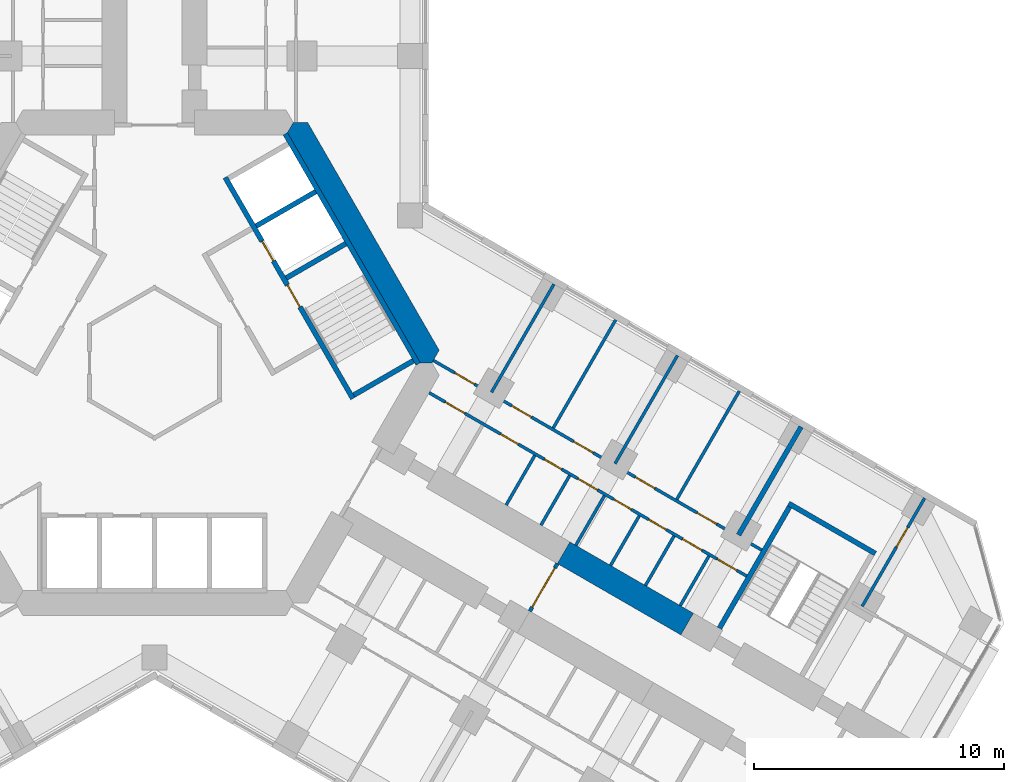
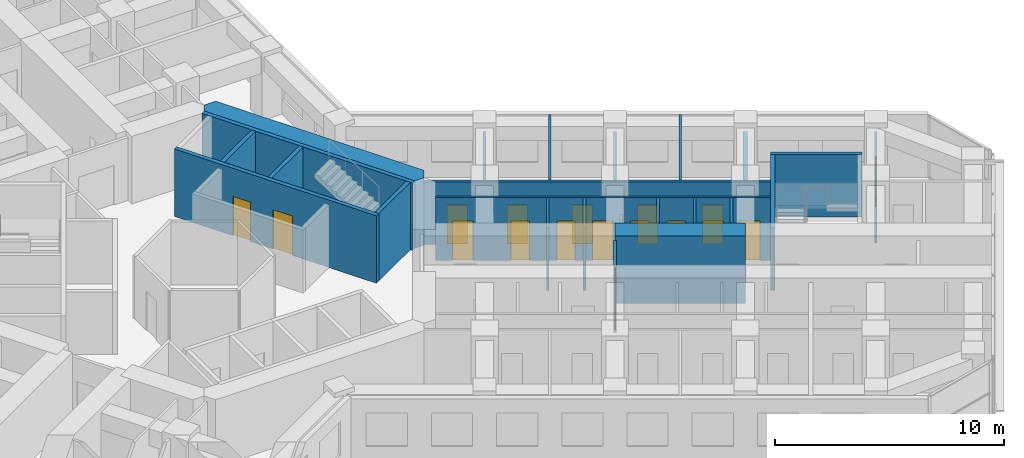
# One storey, part 16 of 21: 24 walls, 17 doors, 17 openings.
"""IFC4 building model written with IfcOpenShell, lengths in metres."""

from ifc_helpers import new_model, si_unit, direction, frame, frame_2d, origin, place, context, subcontext, project, spatial, polyline, rectangle, outline, extrude, material, layer, layer_set, type_object, element, fill, save


model = new_model("IFC4")

# Units and contexts
model_context = context("Model", 3, precision=1e-05, world=origin(), true_north=direction((0.0, 1.0)))
body_context = subcontext(model_context, "Body", "Model", "MODEL_VIEW")
ifc_project = project(units=[si_unit("LENGTHUNIT", "METRE"), si_unit("AREAUNIT", "SQUARE_METRE"), si_unit("VOLUMEUNIT", "CUBIC_METRE"), si_unit("PLANEANGLEUNIT", "RADIAN"), si_unit("MASSUNIT", "GRAM", prefix="KILO")], contexts=[model_context])

# Site, building, storey
site_placement = place(None, origin())
site = spatial("IfcSite", under=ifc_project, at=site_placement, CompositionType="ELEMENT")
building_placement = place(site_placement, origin())
building = spatial("IfcBuilding", under=site, at=building_placement, Name="Kosmar Iwan School Tower", CompositionType="ELEMENT")
storey_placement = place(building_placement, frame((0.0, 0.0, 61.0)))
storey = spatial("IfcBuildingStorey", under=building, at=storey_placement, Name="L14", CompositionType="ELEMENT", Elevation=61.0)

# Walls
ifc_material_1 = material(Name="Concrete C50/60", Category="concrete")
ifc_layer_1 = layer(ifc_material_1, 1.0)
ifc_layer_set_1 = layer_set([ifc_layer_1], Name="Core wall 1000")
wall_type_1 = type_object("IfcWallType", Name="Core wall 1000", PredefinedType="SHEAR", material=ifc_layer_set_1)
wall_1_placement = place(storey_placement, origin())
element("IfcWall", 1, at=wall_1_placement, inside=storey, type_object=wall_type_1, Name="Core wall F030", PredefinedType="SHEAR", context=body_context, shape_type="SweptSolid", body=[
    extrude(outline(polyline([(10.5078125, 0.0), (11.085205078125, 0.0), (11.373779296875, 0.5), (6.119873046875, 9.60009765625), (5.54248046875, 9.60009765625), (5.25390625, 9.10009765625), (10.5078125, 0.0)])), origin(), (0.0, 0.0, 1.0), 3.60009765625),
])
ifc_material_2 = material(Name="Concrete C50/60", Category="concrete")
ifc_layer_2 = layer(ifc_material_2, 1.0)
ifc_layer_set_2 = layer_set([ifc_layer_2], Name="Corridor buttress wall 1000")
wall_type_2 = type_object("IfcWallType", Name="Corridor buttress wall 1000", PredefinedType="SHEAR", material=ifc_layer_set_2)
wall_2_placement = place(storey_placement, frame((16.34521484375, -7.58935546875, 0.0), z_axis=(0.0, 0.0, 1.0), x_axis=(0.866015111908, -0.50001782563, 0.0)))
element("IfcWall", 2, at=wall_2_placement, inside=storey, type_object=wall_type_2, Name="Corridor wall CL bay 2", PredefinedType="SHEAR", context=body_context, shape_type="SweptSolid", body=[
    extrude(rectangle(XDim=5.699951171875, YDim=1.0, at=frame_2d((2.85009765625, 0.0))), origin(), (0.0, 0.0, 1.0), 3.60009765625),
])

# Wall, opening, door
ifc_material_3 = material(Name="Gypsum board on steel studs, fire-rated", Category="steel")
ifc_layer_3 = layer(ifc_material_3, 0.14990234375)
ifc_layer_set_3 = layer_set([ifc_layer_3], Name="Corridor end wall 150")
wall_type_3 = type_object("IfcWallType", Name="Corridor end wall 150", PredefinedType="PARTITIONING", material=ifc_layer_set_3)
wall_3_placement = place(storey_placement, frame((14.9951171875, -9.927734375, 0.0), z_axis=(0.0, 0.0, 1.0), x_axis=(0.50002983664, 0.866008176907, 0.0)))
wall_3 = element("IfcWall", 3, at=wall_3_placement, inside=storey, type_object=wall_type_3, Name="Partition L14-C-HW", PredefinedType="PARTITIONING", context=body_context, shape_type="SweptSolid", body=[
    extrude(rectangle(XDim=2.199951171875, YDim=0.14990234375, at=frame_2d((1.10009765625, 0.0))), origin(), (0.0, 0.0, 1.0), 3.35009765625),
])
opening_1_placement = place(wall_3_placement, frame((0.199951171875, 0.0, 0.0)))
opening_1 = element("IfcOpeningElement", 4, at=opening_1_placement, cuts=wall_3, Name="Opening D9", PredefinedType="OPENING", context=body_context, shape_type="SweptSolid", body=[
    extrude(rectangle(XDim=1.800048828125, YDim=2.10009765625, at=frame_2d((0.89990234375, 1.050048828125))), frame((0.0, 0.0869140625, 0.0), z_axis=(0.0, -1.0, 0.0), x_axis=(1.0, 0.0, 0.0)), (0.0, 0.0, 1.0), 0.173828125),
])
ifc_material_4 = material(Name="Steel framed glazed smoke door", Category="steel")
door_type_1 = type_object("IfcDoorType", Name="Corridor smoke door pair 1800x2100", OperationType="DOUBLE_DOOR_DOUBLE_SWING", PredefinedType="DOOR", material=ifc_material_4)
door_1_placement = place(opening_1_placement, origin())
door_1 = element("IfcDoor", 5, at=door_1_placement, inside=storey, type_object=door_type_1, Name="Entrance vestibule smoke doors L14-C", OperationType="DOUBLE_DOOR_DOUBLE_SWING", OverallHeight=2.10009765625, OverallWidth=1.800048828125, PredefinedType="DOOR", context=body_context, shape_type="SweptSolid", body=[
    extrude(rectangle(XDim=1.800048828125, YDim=2.10009765625, at=frame_2d((0.89990234375, 1.050048828125))), frame((0.0, 0.02490234375, 0.0), z_axis=(0.0, -1.0, 0.0), x_axis=(1.0, 0.0, 0.0)), (0.0, 0.0, 1.0), 0.050048828125),
])
fill(opening_1, door_1)

# Wall, openings, doors
ifc_material_5 = material(Name="Gypsum board on steel studs", Category="steel")
ifc_layer_4 = layer(ifc_material_5, 0.1201171875)
ifc_layer_set_4 = layer_set([ifc_layer_4], Name="Dwelling partition 120")
wall_type_4 = type_object("IfcWallType", Name="Dwelling partition 120", PredefinedType="PARTITIONING", material=ifc_layer_set_4)
wall_4_placement = place(storey_placement, frame((10.971923828125, -1.1962890625, 0.0), z_axis=(0.0, 0.0, 1.0), x_axis=(0.866026568746, -0.499997982221, 0.0)))
wall_4 = element("IfcWall", 6, at=wall_4_placement, inside=storey, type_object=wall_type_4, Name="Partition L14-CL1-W1", PredefinedType="PARTITIONING", context=body_context, shape_type="SweptSolid", body=[
    extrude(rectangle(XDim=14.64990234375, YDim=0.1201171875, at=frame_2d((7.324951171875, 0.0))), origin(), (0.0, 0.0, 1.0), 3.35009765625),
])
opening_2_placement = place(wall_4_placement, frame((0.75, 0.0, 0.0)))
opening_2 = element("IfcOpeningElement", 7, at=opening_2_placement, cuts=wall_4, Name="Opening D2", PredefinedType="OPENING", context=body_context, shape_type="SweptSolid", body=[
    extrude(rectangle(XDim=0.89990234375, YDim=2.10009765625, at=frame_2d((0.449951171875, 1.050048828125))), frame((0.0, 0.072021484375, 0.0), z_axis=(0.0, -1.0, 0.0), x_axis=(1.0, 0.0, 0.0)), (0.0, 0.0, 1.0), 0.14404296875),
])
opening_3_placement = place(wall_4_placement, frame((3.304931640625, 0.0, 0.0)))
opening_3 = element("IfcOpeningElement", 8, at=opening_3_placement, cuts=wall_4, Name="Opening D3", PredefinedType="OPENING", context=body_context, shape_type="SweptSolid", body=[
    extrude(rectangle(XDim=0.800048828125, YDim=2.10009765625, at=frame_2d((0.39990234375, 1.050048828125))), frame((0.0, 0.072021484375, 0.0), z_axis=(0.0, -1.0, 0.0), x_axis=(1.0, 0.0, 0.0)), (0.0, 0.0, 1.0), 0.14404296875),
])
opening_4_placement = place(wall_4_placement, frame((5.313232421875, 0.0, 0.0)))
opening_4 = element("IfcOpeningElement", 9, at=opening_4_placement, cuts=wall_4, Name="Opening D3", PredefinedType="OPENING", context=body_context, shape_type="SweptSolid", body=[
    extrude(rectangle(XDim=0.800048828125, YDim=2.10009765625, at=frame_2d((0.39990234375, 1.050048828125))), frame((0.0, 0.072021484375, 0.0), z_axis=(0.0, -1.0, 0.0), x_axis=(1.0, 0.0, 0.0)), (0.0, 0.0, 1.0), 0.14404296875),
])
opening_5_placement = place(wall_4_placement, frame((6.8701171875, 0.0, 0.0)))
opening_5 = element("IfcOpeningElement", 10, at=opening_5_placement, cuts=wall_4, Name="Opening D2", PredefinedType="OPENING", context=body_context, shape_type="SweptSolid", body=[
    extrude(rectangle(XDim=0.89990234375, YDim=2.10009765625, at=frame_2d((0.449951171875, 1.050048828125))), frame((0.0, 0.072021484375, 0.0), z_axis=(0.0, -1.0, 0.0), x_axis=(1.0, 0.0, 0.0)), (0.0, 0.0, 1.0), 0.14404296875),
])
opening_6_placement = place(wall_4_placement, frame((8.526611328125, 0.0, 0.0)))
opening_6 = element("IfcOpeningElement", 11, at=opening_6_placement, cuts=wall_4, Name="Opening D3", PredefinedType="OPENING", context=body_context, shape_type="SweptSolid", body=[
    extrude(rectangle(XDim=0.800048828125, YDim=2.10009765625, at=frame_2d((0.39990234375, 1.050048828125))), frame((0.0, 0.072021484375, 0.0), z_axis=(0.0, -1.0, 0.0), x_axis=(1.0, 0.0, 0.0)), (0.0, 0.0, 1.0), 0.14404296875),
])
opening_7_placement = place(wall_4_placement, frame((10.13330078125, 0.0, 0.0)))
opening_7 = element("IfcOpeningElement", 12, at=opening_7_placement, cuts=wall_4, Name="Opening D3", PredefinedType="OPENING", context=body_context, shape_type="SweptSolid", body=[
    extrude(rectangle(XDim=0.800048828125, YDim=2.10009765625, at=frame_2d((0.39990234375, 1.050048828125))), frame((0.0, 0.072021484375, 0.0), z_axis=(0.0, -1.0, 0.0), x_axis=(1.0, 0.0, 0.0)), (0.0, 0.0, 1.0), 0.14404296875),
])
opening_8_placement = place(wall_4_placement, frame((11.68994140625, 0.0, 0.0)))
opening_8 = element("IfcOpeningElement", 13, at=opening_8_placement, cuts=wall_4, Name="Opening D2", PredefinedType="OPENING", context=body_context, shape_type="SweptSolid", body=[
    extrude(rectangle(XDim=0.89990234375, YDim=2.10009765625, at=frame_2d((0.449951171875, 1.050048828125))), frame((0.0, 0.072021484375, 0.0), z_axis=(0.0, -1.0, 0.0), x_axis=(1.0, 0.0, 0.0)), (0.0, 0.0, 1.0), 0.14404296875),
])
opening_9_placement = place(wall_4_placement, frame((13.296630859375, 0.0, 0.0)))
opening_9 = element("IfcOpeningElement", 14, at=opening_9_placement, cuts=wall_4, Name="Opening D2", PredefinedType="OPENING", context=body_context, shape_type="SweptSolid", body=[
    extrude(rectangle(XDim=0.89990234375, YDim=2.10009765625, at=frame_2d((0.449951171875, 1.050048828125))), frame((0.0, 0.072021484375, 0.0), z_axis=(0.0, -1.0, 0.0), x_axis=(1.0, 0.0, 0.0)), (0.0, 0.0, 1.0), 0.14404296875),
])
ifc_material_6 = material(Name="Timber door in timber frame", Category="wood")
door_type_2 = type_object("IfcDoorType", Name="Internal door 900x2100", OperationType="SINGLE_SWING_LEFT", PredefinedType="DOOR", material=ifc_material_6)
door_2_placement = place(opening_2_placement, origin())
door_2 = element("IfcDoor", 15, at=door_2_placement, inside=storey, type_object=door_type_2, Name="Entrance hall door L14-CL1-S1", OperationType="SINGLE_SWING_LEFT", OverallHeight=2.10009765625, OverallWidth=0.89990234375, PredefinedType="DOOR", context=body_context, shape_type="SweptSolid", body=[
    extrude(rectangle(XDim=0.89990234375, YDim=2.10009765625, at=frame_2d((0.449951171875, 1.050048828125))), frame((0.0, 0.02490234375, 0.0), z_axis=(0.0, -1.0, 0.0), x_axis=(1.0, 0.0, 0.0)), (0.0, 0.0, 1.0), 0.050048828125),
])
fill(opening_2, door_2)
door_3_placement = place(opening_5_placement, origin())
door_3 = element("IfcDoor", 16, at=door_3_placement, inside=storey, type_object=door_type_2, Name="Pantry door L14-CL1-S4", OperationType="SINGLE_SWING_LEFT", OverallHeight=2.10009765625, OverallWidth=0.89990234375, PredefinedType="DOOR", context=body_context, shape_type="SweptSolid", body=[
    extrude(rectangle(XDim=0.89990234375, YDim=2.10009765625, at=frame_2d((0.449951171875, 1.050048828125))), frame((0.0, 0.02490234375, 0.0), z_axis=(0.0, -1.0, 0.0), x_axis=(1.0, 0.0, 0.0)), (0.0, 0.0, 1.0), 0.050048828125),
])
fill(opening_5, door_3)
door_4_placement = place(opening_8_placement, origin())
door_4 = element("IfcDoor", 17, at=door_4_placement, inside=storey, type_object=door_type_2, Name="Utility room door L14-CL1-S7", OperationType="SINGLE_SWING_RIGHT", OverallHeight=2.10009765625, OverallWidth=0.89990234375, PredefinedType="DOOR", context=body_context, shape_type="SweptSolid", body=[
    extrude(rectangle(XDim=0.89990234375, YDim=2.10009765625, at=frame_2d((0.449951171875, 1.050048828125))), frame((0.0, 0.02490234375, 0.0), z_axis=(0.0, -1.0, 0.0), x_axis=(1.0, 0.0, 0.0)), (0.0, 0.0, 1.0), 0.050048828125),
])
fill(opening_8, door_4)
door_5_placement = place(opening_9_placement, frame((0.89990234375, 0.0, 0.0), z_axis=(0.0, 0.0, 1.0), x_axis=(-1.0, 0.0, 0.0)))
door_5 = element("IfcDoor", 18, at=door_5_placement, inside=storey, type_object=door_type_2, Name="Dressing room door L14-CL1-S8", OperationType="SINGLE_SWING_LEFT", OverallHeight=2.10009765625, OverallWidth=0.89990234375, PredefinedType="DOOR", context=body_context, shape_type="SweptSolid", body=[
    extrude(rectangle(XDim=0.89990234375, YDim=2.10009765625, at=frame_2d((0.449951171875, 1.050048828125))), frame((0.0, 0.02490234375, 0.0), z_axis=(0.0, -1.0, 0.0), x_axis=(1.0, 0.0, 0.0)), (0.0, 0.0, 1.0), 0.050048828125),
])
fill(opening_9, door_5)
ifc_material_7 = material(Name="Timber door in timber frame", Category="wood")
door_type_3 = type_object("IfcDoorType", Name="Sanitary room door 800x2100", OperationType="SINGLE_SWING_LEFT", PredefinedType="DOOR", material=ifc_material_7)
door_6_placement = place(opening_3_placement, origin())
door_6 = element("IfcDoor", 19, at=door_6_placement, inside=storey, type_object=door_type_3, Name="Bathroom door L14-CL1-S2", OperationType="SINGLE_SWING_LEFT", OverallHeight=2.10009765625, OverallWidth=0.800048828125, PredefinedType="DOOR", context=body_context, shape_type="SweptSolid", body=[
    extrude(rectangle(XDim=0.800048828125, YDim=2.10009765625, at=frame_2d((0.39990234375, 1.050048828125))), frame((0.0, 0.02490234375, 0.0), z_axis=(0.0, -1.0, 0.0), x_axis=(1.0, 0.0, 0.0)), (0.0, 0.0, 1.0), 0.050048828125),
])
fill(opening_3, door_6)
door_7_placement = place(opening_4_placement, origin())
door_7 = element("IfcDoor", 20, at=door_7_placement, inside=storey, type_object=door_type_3, Name="Shower room door L14-CL1-S3", OperationType="SINGLE_SWING_LEFT", OverallHeight=2.10009765625, OverallWidth=0.800048828125, PredefinedType="DOOR", context=body_context, shape_type="SweptSolid", body=[
    extrude(rectangle(XDim=0.800048828125, YDim=2.10009765625, at=frame_2d((0.39990234375, 1.050048828125))), frame((0.0, 0.02490234375, 0.0), z_axis=(0.0, -1.0, 0.0), x_axis=(1.0, 0.0, 0.0)), (0.0, 0.0, 1.0), 0.050048828125),
])
fill(opening_4, door_7)
door_8_placement = place(opening_6_placement, origin())
door_8 = element("IfcDoor", 21, at=door_8_placement, inside=storey, type_object=door_type_3, Name="WC door L14-CL1-S5", OperationType="SINGLE_SWING_RIGHT", OverallHeight=2.10009765625, OverallWidth=0.800048828125, PredefinedType="DOOR", context=body_context, shape_type="SweptSolid", body=[
    extrude(rectangle(XDim=0.800048828125, YDim=2.10009765625, at=frame_2d((0.39990234375, 1.050048828125))), frame((0.0, 0.02490234375, 0.0), z_axis=(0.0, -1.0, 0.0), x_axis=(1.0, 0.0, 0.0)), (0.0, 0.0, 1.0), 0.050048828125),
])
fill(opening_6, door_8)
door_9_placement = place(opening_7_placement, origin())
door_9 = element("IfcDoor", 22, at=door_9_placement, inside=storey, type_object=door_type_3, Name="Store door L14-CL1-S6", OperationType="SINGLE_SWING_RIGHT", OverallHeight=2.10009765625, OverallWidth=0.800048828125, PredefinedType="DOOR", context=body_context, shape_type="SweptSolid", body=[
    extrude(rectangle(XDim=0.800048828125, YDim=2.10009765625, at=frame_2d((0.39990234375, 1.050048828125))), frame((0.0, 0.02490234375, 0.0), z_axis=(0.0, -1.0, 0.0), x_axis=(1.0, 0.0, 0.0)), (0.0, 0.0, 1.0), 0.050048828125),
])
fill(opening_7, door_9)

wall_5_placement = place(storey_placement, frame((11.138916015625, 0.093017578125, 0.0), z_axis=(0.0, 0.0, 1.0), x_axis=(0.866024032363, -0.500002375365, 0.0)))
wall_5 = element("IfcWall", 23, at=wall_5_placement, inside=storey, type_object=wall_type_4, Name="Partition L14-CL1-W2", PredefinedType="PARTITIONING", context=body_context, shape_type="SweptSolid", body=[
    extrude(rectangle(XDim=15.14990234375, YDim=0.1201171875, at=frame_2d((7.574951171875, 0.0))), origin(), (0.0, 0.0, 1.0), 3.35009765625),
])
opening_10_placement = place(wall_5_placement, frame((1.0, 0.0, 0.0)))
opening_10 = element("IfcOpeningElement", 24, at=opening_10_placement, cuts=wall_5, Name="Opening D2", PredefinedType="OPENING", context=body_context, shape_type="SweptSolid", body=[
    extrude(rectangle(XDim=0.89990234375, YDim=2.10009765625, at=frame_2d((0.449951171875, 1.050048828125))), frame((0.0, 0.072021484375, 0.0), z_axis=(0.0, -1.0, 0.0), x_axis=(1.0, 0.0, 0.0)), (0.0, 0.0, 1.0), 0.14404296875),
])
opening_11_placement = place(wall_5_placement, frame((3.625, 0.0, 0.0)))
opening_11 = element("IfcOpeningElement", 25, at=opening_11_placement, cuts=wall_5, Name="Opening D2", PredefinedType="OPENING", context=body_context, shape_type="SweptSolid", body=[
    extrude(rectangle(XDim=0.89990234375, YDim=2.10009765625, at=frame_2d((0.449951171875, 1.050048828125))), frame((0.0, 0.072021484375, 0.0), z_axis=(0.0, -1.0, 0.0), x_axis=(1.0, 0.0, 0.0)), (0.0, 0.0, 1.0), 0.14404296875),
])
opening_12_placement = place(wall_5_placement, frame((6.47509765625, 0.0, 0.0)))
opening_12 = element("IfcOpeningElement", 26, at=opening_12_placement, cuts=wall_5, Name="Opening D2", PredefinedType="OPENING", context=body_context, shape_type="SweptSolid", body=[
    extrude(rectangle(XDim=0.89990234375, YDim=2.10009765625, at=frame_2d((0.449951171875, 1.050048828125))), frame((0.0, 0.072021484375, 0.0), z_axis=(0.0, -1.0, 0.0), x_axis=(1.0, 0.0, 0.0)), (0.0, 0.0, 1.0), 0.14404296875),
])
opening_13_placement = place(wall_5_placement, frame((9.324951171875, 0.0, 0.0)))
opening_13 = element("IfcOpeningElement", 27, at=opening_13_placement, cuts=wall_5, Name="Opening D2", PredefinedType="OPENING", context=body_context, shape_type="SweptSolid", body=[
    extrude(rectangle(XDim=0.89990234375, YDim=2.10009765625, at=frame_2d((0.449951171875, 1.050048828125))), frame((0.0, 0.072021484375, 0.0), z_axis=(0.0, -1.0, 0.0), x_axis=(1.0, 0.0, 0.0)), (0.0, 0.0, 1.0), 0.14404296875),
])
opening_14_placement = place(wall_5_placement, frame((12.175048828125, 0.0, 0.0)))
opening_14 = element("IfcOpeningElement", 28, at=opening_14_placement, cuts=wall_5, Name="Opening D2", PredefinedType="OPENING", context=body_context, shape_type="SweptSolid", body=[
    extrude(rectangle(XDim=0.89990234375, YDim=2.10009765625, at=frame_2d((0.449951171875, 1.050048828125))), frame((0.0, 0.072021484375, 0.0), z_axis=(0.0, -1.0, 0.0), x_axis=(1.0, 0.0, 0.0)), (0.0, 0.0, 1.0), 0.14404296875),
])
door_10_placement = place(opening_10_placement, origin())
door_10 = element("IfcDoor", 29, at=door_10_placement, inside=storey, type_object=door_type_2, Name="Family room door L14-CL1-F1", OperationType="SINGLE_SWING_LEFT", OverallHeight=2.10009765625, OverallWidth=0.89990234375, PredefinedType="DOOR", context=body_context, shape_type="SweptSolid", body=[
    extrude(rectangle(XDim=0.89990234375, YDim=2.10009765625, at=frame_2d((0.449951171875, 1.050048828125))), frame((0.0, 0.02490234375, 0.0), z_axis=(0.0, -1.0, 0.0), x_axis=(1.0, 0.0, 0.0)), (0.0, 0.0, 1.0), 0.050048828125),
])
fill(opening_10, door_10)
door_11_placement = place(opening_11_placement, origin())
door_11 = element("IfcDoor", 30, at=door_11_placement, inside=storey, type_object=door_type_2, Name="Study door L14-CL1-F2", OperationType="SINGLE_SWING_LEFT", OverallHeight=2.10009765625, OverallWidth=0.89990234375, PredefinedType="DOOR", context=body_context, shape_type="SweptSolid", body=[
    extrude(rectangle(XDim=0.89990234375, YDim=2.10009765625, at=frame_2d((0.449951171875, 1.050048828125))), frame((0.0, 0.02490234375, 0.0), z_axis=(0.0, -1.0, 0.0), x_axis=(1.0, 0.0, 0.0)), (0.0, 0.0, 1.0), 0.050048828125),
])
fill(opening_11, door_11)
door_12_placement = place(opening_12_placement, origin())
door_12 = element("IfcDoor", 31, at=door_12_placement, inside=storey, type_object=door_type_2, Name="Bedroom 1 door L14-CL1-F3", OperationType="SINGLE_SWING_RIGHT", OverallHeight=2.10009765625, OverallWidth=0.89990234375, PredefinedType="DOOR", context=body_context, shape_type="SweptSolid", body=[
    extrude(rectangle(XDim=0.89990234375, YDim=2.10009765625, at=frame_2d((0.449951171875, 1.050048828125))), frame((0.0, 0.02490234375, 0.0), z_axis=(0.0, -1.0, 0.0), x_axis=(1.0, 0.0, 0.0)), (0.0, 0.0, 1.0), 0.050048828125),
])
fill(opening_12, door_12)
door_13_placement = place(opening_13_placement, origin())
door_13 = element("IfcDoor", 32, at=door_13_placement, inside=storey, type_object=door_type_2, Name="Living room and kitchen door L14-CL1-F4", OperationType="SINGLE_SWING_LEFT", OverallHeight=2.10009765625, OverallWidth=0.89990234375, PredefinedType="DOOR", context=body_context, shape_type="SweptSolid", body=[
    extrude(rectangle(XDim=0.89990234375, YDim=2.10009765625, at=frame_2d((0.449951171875, 1.050048828125))), frame((0.0, 0.02490234375, 0.0), z_axis=(0.0, -1.0, 0.0), x_axis=(1.0, 0.0, 0.0)), (0.0, 0.0, 1.0), 0.050048828125),
])
fill(opening_13, door_13)
door_14_placement = place(opening_14_placement, origin())
door_14 = element("IfcDoor", 33, at=door_14_placement, inside=storey, type_object=door_type_2, Name="Bedroom 2 door L14-CL1-F5", OperationType="SINGLE_SWING_RIGHT", OverallHeight=2.10009765625, OverallWidth=0.89990234375, PredefinedType="DOOR", context=body_context, shape_type="SweptSolid", body=[
    extrude(rectangle(XDim=0.89990234375, YDim=2.10009765625, at=frame_2d((0.449951171875, 1.050048828125))), frame((0.0, 0.02490234375, 0.0), z_axis=(0.0, -1.0, 0.0), x_axis=(1.0, 0.0, 0.0)), (0.0, 0.0, 1.0), 0.050048828125),
])
fill(opening_14, door_14)

# Walls
wall_6_placement = place(storey_placement, frame((13.4638671875, -1.179931640625, 0.0), z_axis=(0.0, 0.0, 1.0), x_axis=(0.499996339024, 0.86602751744, 0.0)))
element("IfcWall", 34, at=wall_6_placement, inside=storey, type_object=wall_type_4, Name="Partition L14-CL1-X1", PredefinedType="PARTITIONING", context=body_context, shape_type="SweptSolid", body=[
    extrude(rectangle(XDim=4.98974609375, YDim=0.1201171875, at=frame_2d((2.494873046875, 0.0))), origin(), (0.0, 0.0, 1.0), 2.449951171875),
])
wall_7_placement = place(storey_placement, frame((15.931884765625, -2.60498046875, 0.0), z_axis=(0.0, 0.0, 1.0), x_axis=(0.500011847778, 0.866018563358, 0.0)))
element("IfcWall", 35, at=wall_7_placement, inside=storey, type_object=wall_type_4, Name="Partition L14-CL1-X2", PredefinedType="PARTITIONING", context=body_context, shape_type="SweptSolid", body=[
    extrude(rectangle(XDim=4.990234375, YDim=0.1201171875, at=frame_2d((2.4951171875, 0.0))), origin(), (0.0, 0.0, 1.0), 3.35009765625),
])
wall_8_placement = place(storey_placement, frame((18.400146484375, -4.030029296875, 0.0), z_axis=(0.0, 0.0, 1.0), x_axis=(0.500011847778, 0.866018563358, 0.0)))
element("IfcWall", 36, at=wall_8_placement, inside=storey, type_object=wall_type_4, Name="Partition L14-CL1-X3", PredefinedType="PARTITIONING", context=body_context, shape_type="SweptSolid", body=[
    extrude(rectangle(XDim=4.990234375, YDim=0.1201171875, at=frame_2d((2.4951171875, 0.0))), origin(), (0.0, 0.0, 1.0), 2.449951171875),
])
wall_9_placement = place(storey_placement, frame((20.868408203125, -5.455078125, 0.0), z_axis=(0.0, 0.0, 1.0), x_axis=(0.499975153383, 0.86603974851, 0.0)))
element("IfcWall", 37, at=wall_9_placement, inside=storey, type_object=wall_type_4, Name="Partition L14-CL1-X4", PredefinedType="PARTITIONING", context=body_context, shape_type="SweptSolid", body=[
    extrude(rectangle(XDim=4.989990234375, YDim=0.1201171875, at=frame_2d((2.4951171875, 0.0))), origin(), (0.0, 0.0, 1.0), 3.35009765625),
])
for number, where, z_axis, x_axis, name in (
    (38, (14.049072265625, -5.686279296875, 0.0), (0.0, 0.0, 1.0), (0.500014693593, 0.866016920268, 0.0), "Partition L14-CL1-Y2"),
    (39, (15.4404296875, -6.48974609375, 0.0), (0.0, 0.0, 1.0), (0.500014693593, 0.866016920268, 0.0), "Partition L14-CL1-Y3"),
):
    element("IfcWall", number, at=place(storey_placement, frame(where, z_axis=z_axis, x_axis=x_axis)), inside=storey, type_object=wall_type_4, Name=name, PredefinedType="PARTITIONING", context=body_context, shape_type="SweptSolid", body=[
        extrude(rectangle(XDim=2.2900390625, YDim=0.1201171875, at=frame_2d((1.14501953125, 0.0))), origin(), (0.0, 0.0, 1.0), 3.35009765625),
    ])
wall_10_placement = place(storey_placement, frame((16.831787109375, -7.29296875, 0.0), z_axis=(0.0, 0.0, 1.0), x_axis=(0.500014693593, 0.866016920268, 0.0)))
element("IfcWall", 40, at=wall_10_placement, inside=storey, type_object=wall_type_4, Name="Partition L14-CL1-Y4", PredefinedType="PARTITIONING", context=body_context, shape_type="SweptSolid", body=[
    extrude(rectangle(XDim=2.2900390625, YDim=0.1201171875, at=frame_2d((1.14501953125, 0.0))), origin(), (0.0, 0.0, 1.0), 2.449951171875),
])
wall_11_placement = place(storey_placement, frame((18.223388671875, -8.096435546875, 0.0), z_axis=(0.0, 0.0, 1.0), x_axis=(0.499968531483, 0.866043571379, 0.0)))
element("IfcWall", 41, at=wall_11_placement, inside=storey, type_object=wall_type_4, Name="Partition L14-CL1-Y5", PredefinedType="PARTITIONING", context=body_context, shape_type="SweptSolid", body=[
    extrude(rectangle(XDim=2.290283203125, YDim=0.1201171875, at=frame_2d((1.14501953125, 0.0))), origin(), (0.0, 0.0, 1.0), 3.35009765625),
])
wall_12_placement = place(storey_placement, frame((19.61474609375, -8.899658203125, 0.0), z_axis=(0.0, 0.0, 1.0), x_axis=(0.500014693593, 0.866016920268, 0.0)))
element("IfcWall", 42, at=wall_12_placement, inside=storey, type_object=wall_type_4, Name="Partition L14-CL1-Y6", PredefinedType="PARTITIONING", context=body_context, shape_type="SweptSolid", body=[
    extrude(rectangle(XDim=2.2900390625, YDim=0.1201171875, at=frame_2d((1.14501953125, 0.0))), origin(), (0.0, 0.0, 1.0), 3.35009765625),
])
wall_13_placement = place(storey_placement, frame((21.006103515625, -9.703125, 0.0), z_axis=(0.0, 0.0, 1.0), x_axis=(0.499968531483, 0.866043571379, 0.0)))
element("IfcWall", 43, at=wall_13_placement, inside=storey, type_object=wall_type_4, Name="Partition L14-CL1-Y7", PredefinedType="PARTITIONING", context=body_context, shape_type="SweptSolid", body=[
    extrude(rectangle(XDim=2.290283203125, YDim=0.1201171875, at=frame_2d((1.14501953125, 0.0))), origin(), (0.0, 0.0, 1.0), 3.35009765625),
])

# Wall, opening, door
wall_14_placement = place(storey_placement, frame((28.27294921875, -9.72998046875, 0.0), z_axis=(0.0, 0.0, 1.0), x_axis=(0.499975153383, 0.86603974851, 0.0)))
wall_14 = element("IfcWall", 44, at=wall_14_placement, inside=storey, type_object=wall_type_4, Name="Partition L14-CL2-TX", PredefinedType="PARTITIONING", context=body_context, shape_type="SweptSolid", body=[
    extrude(rectangle(XDim=4.989990234375, YDim=0.1201171875, at=frame_2d((2.4951171875, 0.0))), origin(), (0.0, 0.0, 1.0), 2.449951171875),
])
opening_15_placement = place(wall_14_placement, frame((2.739990234375, 0.0, 0.0)))
opening_15 = element("IfcOpeningElement", 45, at=opening_15_placement, cuts=wall_14, Name="Opening D2", PredefinedType="OPENING", context=body_context, shape_type="SweptSolid", body=[
    extrude(rectangle(XDim=0.89990234375, YDim=2.10009765625, at=frame_2d((0.449951171875, 1.050048828125))), frame((0.0, 0.072021484375, 0.0), z_axis=(0.0, -1.0, 0.0), x_axis=(1.0, 0.0, 0.0)), (0.0, 0.0, 1.0), 0.14404296875),
])
door_15_placement = place(opening_15_placement, origin())
door_15 = element("IfcDoor", 46, at=door_15_placement, inside=storey, type_object=door_type_2, Name="Bedroom 1 door L14-CL2-T1", OperationType="SINGLE_SWING_RIGHT", OverallHeight=2.10009765625, OverallWidth=0.89990234375, PredefinedType="DOOR", context=body_context, shape_type="SweptSolid", body=[
    extrude(rectangle(XDim=0.89990234375, YDim=2.10009765625, at=frame_2d((0.449951171875, 1.050048828125))), frame((0.0, 0.02490234375, 0.0), z_axis=(0.0, -1.0, 0.0), x_axis=(1.0, 0.0, 0.0)), (0.0, 0.0, 1.0), 0.050048828125),
])
fill(opening_15, door_15)

# Walls
ifc_material_8 = material(Name="Concrete C35/45", Category="concrete")
ifc_layer_5 = layer(ifc_material_8, 0.199951171875)
ifc_layer_set_5 = layer_set([ifc_layer_5], Name="Escape stair wall 200")
wall_type_5 = type_object("IfcWallType", Name="Escape stair wall 200", PredefinedType="SHEAR", material=ifc_layer_set_5)
wall_15_placement = place(storey_placement, frame((22.57080078125, -10.6064453125, 0.0), z_axis=(0.0, 0.0, 1.0), x_axis=(0.499987231761, 0.866032775405, 0.0)))
element("IfcWall", 47, at=wall_15_placement, inside=storey, type_object=wall_type_5, Name="Stair WS3 wall", PredefinedType="SHEAR", context=body_context, shape_type="SweptSolid", body=[
    extrude(rectangle(XDim=5.800048828125, YDim=0.199951171875, at=frame_2d((2.89990234375, 0.0))), origin(), (0.0, 0.0, 1.0), 3.330078125),
])
wall_16_placement = place(storey_placement, frame((25.334228515625, -5.6201171875, 0.0), z_axis=(0.0, 0.0, 1.0), x_axis=(0.866026010844, -0.49999894854, 0.0)))
element("IfcWall", 48, at=wall_16_placement, inside=storey, type_object=wall_type_5, Name="Stair WS3 wall", PredefinedType="SHEAR", context=body_context, shape_type="SweptSolid", body=[
    extrude(rectangle(XDim=4.0, YDim=0.199951171875, at=frame_2d((2.0, 0.0))), origin(), (0.0, 0.0, 1.0), 3.330078125),
])

# Wall, openings, doors
ifc_material_9 = material(Name="Concrete C50/60", Category="concrete")
ifc_layer_6 = layer(ifc_material_9, 0.199951171875)
ifc_layer_set_6 = layer_set([ifc_layer_6], Name="Lift shaft wall 200")
wall_type_6 = type_object("IfcWallType", Name="Lift shaft wall 200", PredefinedType="SHEAR", material=ifc_layer_set_6)
wall_17_placement = place(storey_placement, frame((7.926025390625, -1.42822265625, 0.0), z_axis=(0.0, 0.0, 1.0), x_axis=(-0.499998023675, 0.866026544813, 0.0)))
wall_17 = element("IfcWall", 49, at=wall_17_placement, inside=storey, type_object=wall_type_6, Name="Lift and stair front wall AC", PredefinedType="SHEAR", context=body_context, shape_type="SweptSolid", body=[
    extrude(rectangle(XDim=10.19970703125, YDim=0.199951171875, at=frame_2d((5.099853515625, 0.0))), origin(), (0.0, 0.0, 1.0), 3.60009765625),
])
opening_16_placement = place(wall_17_placement, frame((6.35009765625, 0.0, 0.0)))
opening_16 = element("IfcOpeningElement", 50, at=opening_16_placement, cuts=wall_17, Name="Opening LD2", PredefinedType="OPENING", context=body_context, shape_type="SweptSolid", body=[
    extrude(rectangle(XDim=0.89990234375, YDim=2.10009765625, at=frame_2d((0.449951171875, 1.050048828125))), frame((0.0, 0.112060546875, 0.0), z_axis=(0.0, -1.0, 0.0), x_axis=(1.0, 0.0, 0.0)), (0.0, 0.0, 1.0), 0.223876953125),
])
opening_17_placement = place(wall_17_placement, frame((4.22998046875, 0.0, 0.0)))
opening_17 = element("IfcOpeningElement", 51, at=opening_17_placement, cuts=wall_17, Name="Opening D6", PredefinedType="OPENING", context=body_context, shape_type="SweptSolid", body=[
    extrude(rectangle(XDim=1.0, YDim=2.10009765625, at=frame_2d((0.5, 1.050048828125))), frame((0.0, 0.112060546875, 0.0), z_axis=(0.0, -1.0, 0.0), x_axis=(1.0, 0.0, 0.0)), (0.0, 0.0, 1.0), 0.223876953125),
])
ifc_material_10 = material(Name="Stainless steel sliding lift door", Category="steel")
door_type_4 = type_object("IfcDoorType", Name="Firefighting lift landing door 900x2100", OperationType="SLIDING_TO_LEFT", PredefinedType="DOOR", material=ifc_material_10)
door_16_placement = place(opening_16_placement, origin())
door_16 = element("IfcDoor", 52, at=door_16_placement, inside=storey, type_object=door_type_4, Name="Lift FF1 landing door L14", OperationType="SLIDING_TO_LEFT", OverallHeight=2.10009765625, OverallWidth=0.89990234375, PredefinedType="DOOR", context=body_context, shape_type="SweptSolid", body=[
    extrude(rectangle(XDim=0.89990234375, YDim=2.10009765625, at=frame_2d((0.449951171875, 1.050048828125))), frame((0.0, 0.02490234375, 0.0), z_axis=(0.0, -1.0, 0.0), x_axis=(1.0, 0.0, 0.0)), (0.0, 0.0, 1.0), 0.050048828125),
])
fill(opening_16, door_16)
ifc_material_11 = material(Name="Steel fire door", Category="steel")
door_type_5 = type_object("IfcDoorType", Name="Stair door 1000x2100", OperationType="SINGLE_SWING_LEFT", PredefinedType="DOOR", material=ifc_material_11)
door_17_placement = place(opening_17_placement, origin())
door_17 = element("IfcDoor", 53, at=door_17_placement, inside=storey, type_object=door_type_5, Name="Stair ST1 door L14", OperationType="SINGLE_SWING_LEFT", OverallHeight=2.10009765625, OverallWidth=1.0, PredefinedType="DOOR", context=body_context, shape_type="SweptSolid", body=[
    extrude(rectangle(XDim=1.0, YDim=2.10009765625, at=frame_2d((0.5, 1.050048828125))), frame((0.0, 0.02490234375, 0.0), z_axis=(0.0, -1.0, 0.0), x_axis=(1.0, 0.0, 0.0)), (0.0, 0.0, 1.0), 0.050048828125),
])
fill(opening_17, door_17)

# Walls
wall_18_placement = place(storey_placement, frame((10.53662109375, -0.050048828125, 0.0), z_axis=(0.0, 0.0, 1.0), x_axis=(-0.499994998079, 0.866028291626, 0.0)))
element("IfcWall", 54, at=wall_18_placement, inside=storey, type_object=wall_type_6, Name="Lift and stair back wall AC", PredefinedType="SHEAR", context=body_context, shape_type="SweptSolid", body=[
    extrude(rectangle(XDim=10.623046875, YDim=0.199951171875, at=frame_2d((5.3115234375, 0.0))), origin(), (0.0, 0.0, 1.0), 3.60009765625),
])
wall_19_placement = place(storey_placement, frame((4.062744140625, 5.46337890625, 0.0), z_axis=(0.0, 0.0, 1.0), x_axis=(0.866027397988, 0.499996545922, 0.0)))
element("IfcWall", 55, at=wall_19_placement, inside=storey, type_object=wall_type_6, Name="Lift shaft wall AC 1", PredefinedType="SHEAR", context=body_context, shape_type="SweptSolid", body=[
    extrude(rectangle(XDim=2.75, YDim=0.199951171875, at=frame_2d((1.375, 0.0))), origin(), (0.0, 0.0, 1.0), 3.60009765625),
])
ifc_material_12 = material(Name="Concrete block masonry", Category="masonry")
ifc_layer_7 = layer(ifc_material_12, 0.199951171875)
ifc_layer_set_7 = layer_set([ifc_layer_7], Name="Party wall 200")
wall_type_7 = type_object("IfcWallType", Name="Party wall 200", PredefinedType="PARTITIONING", material=ifc_layer_set_7)
wall_20_placement = place(storey_placement, frame((23.33642578125, -6.8798828125, 0.0), z_axis=(0.0, 0.0, 1.0), x_axis=(0.500033033937, 0.866006330792, 0.0)))
element("IfcWall", 56, at=wall_20_placement, inside=storey, type_object=wall_type_7, Name="Partition L14-CL2-TB", PredefinedType="PARTITIONING", context=body_context, shape_type="SweptSolid", body=[
    extrude(rectangle(XDim=4.989990234375, YDim=0.199951171875, at=frame_2d((2.4951171875, 0.0))), origin(), (0.0, 0.0, 1.0), 2.449951171875),
])
ifc_material_13 = material(Name="Concrete C50/60", Category="concrete")
ifc_layer_8 = layer(ifc_material_13, 0.199951171875)
ifc_layer_set_8 = layer_set([ifc_layer_8], Name="Stair enclosure wall 200")
wall_type_8 = type_object("IfcWallType", Name="Stair enclosure wall 200", PredefinedType="SHEAR", material=ifc_layer_set_8)
for number, where, z_axis, x_axis, name in (
    (57, (7.962646484375, -1.291748046875, 0.0), (0.0, 0.0, 1.0), (0.866027397988, 0.499996545922, 0.0), "Stair ST1 wall"),
    (58, (5.2626953125, 3.384765625, 0.0), (0.0, 0.0, 1.0), (0.866027397988, 0.499996545922, 0.0), "Stair ST1 wall"),
):
    element("IfcWall", number, at=place(storey_placement, frame(where, z_axis=z_axis, x_axis=x_axis)), inside=storey, type_object=wall_type_8, Name=name, PredefinedType="SHEAR", context=body_context, shape_type="SweptSolid", body=[
        extrude(rectangle(XDim=2.75, YDim=0.199951171875, at=frame_2d((1.375, 0.0))), origin(), (0.0, 0.0, 1.0), 3.60009765625),
    ])

save(model, "model.ifc")
